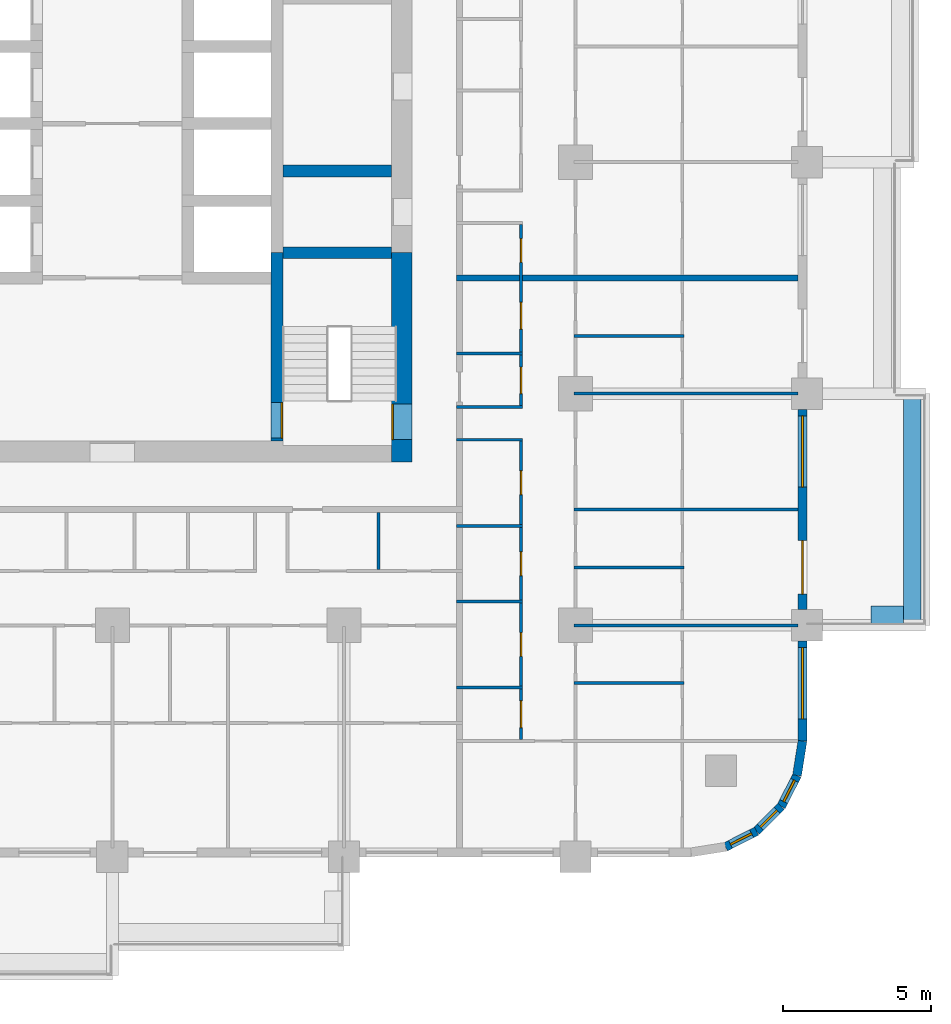
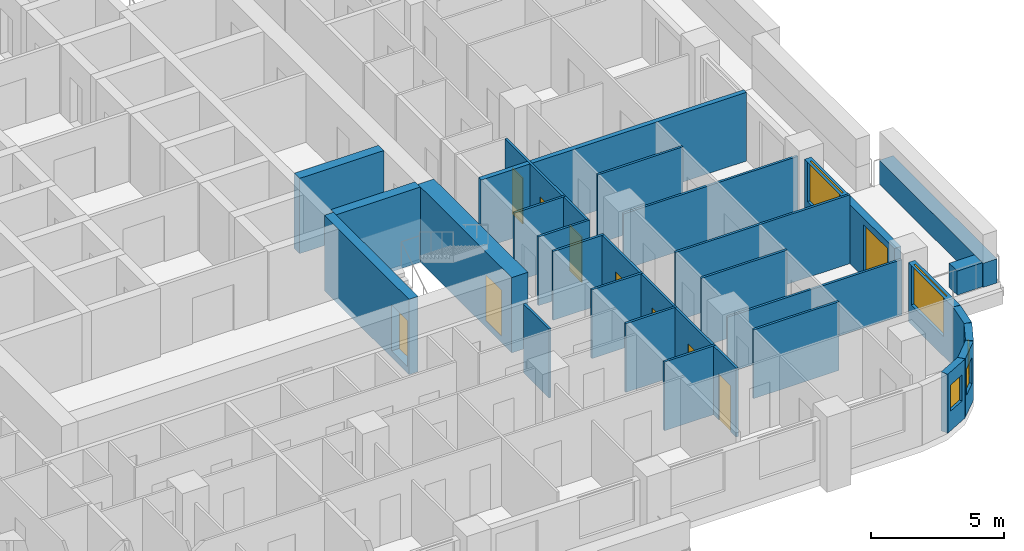
# One storey, part 7 of 17: 28 walls, 10 doors, 5 windows, 15 openings.
"""IFC4 building model written with IfcOpenShell, lengths in metres."""

from ifc_helpers import new_model, si_unit, direction, frame, frame_2d, origin, place, context, subcontext, project, spatial, rectangle, extrude, material, layer, layer_set, type_object, element, fill, save


model = new_model("IFC4")

# Units and contexts
model_context = context("Model", 3, precision=1e-05, world=origin(), true_north=direction((0.0, 1.0)))
body_context = subcontext(model_context, "Body", "Model", "MODEL_VIEW")
ifc_project = project(units=[si_unit("LENGTHUNIT", "METRE"), si_unit("AREAUNIT", "SQUARE_METRE"), si_unit("VOLUMEUNIT", "CUBIC_METRE"), si_unit("PLANEANGLEUNIT", "RADIAN"), si_unit("MASSUNIT", "GRAM", prefix="KILO")], contexts=[model_context])

# Site, building, storey
site_placement = place(None, origin())
site = spatial("IfcSite", under=ifc_project, at=site_placement, CompositionType="ELEMENT")
building_placement = place(site_placement, origin())
building = spatial("IfcBuilding", under=site, at=building_placement, Name="Ludao Terraces", CompositionType="ELEMENT")
storey_placement = place(building_placement, frame((0.0, 0.0, 51.199951171875)))
storey = spatial("IfcBuildingStorey", under=building, at=storey_placement, Name="L13", CompositionType="ELEMENT", Elevation=51.199951171875)

# Wall, opening, door
ifc_material_1 = material(Name="Concrete C70", Category="concrete")
ifc_layer_1 = layer(ifc_material_1, 0.699951171875)
ifc_layer_set_1 = layer_set([ifc_layer_1], Name="Core wall 700 C70")
wall_type_1 = type_object("IfcWallType", Name="Core wall 700 C70", PredefinedType="SOLIDWALL", material=ifc_layer_set_1)
wall_1_placement = place(storey_placement, frame((94.75, 54.89990234375, -0.300048828125), z_axis=(0.0, 0.0, 1.0), x_axis=(0.0, 1.0, 0.0)))
wall_1 = element("IfcWall", 1, at=wall_1_placement, inside=storey, type_object=wall_type_1, Name="Core wall L13 outer-E-S3", PredefinedType="SOLIDWALL", context=body_context, shape_type="SweptSolid", body=[
    extrude(rectangle(XDim=7.050048828125, YDim=0.699951171875, at=frame_2d((3.52490234375, 0.0))), origin(), (0.0, 0.0, 1.0), 3.4501953125),
])
opening_1_placement = place(wall_1_placement, frame((0.75, 0.0, 0.300048828125)))
opening_1 = element("IfcOpeningElement", 2, at=opening_1_placement, cuts=wall_1, Name="Opening R04-059", PredefinedType="OPENING", context=body_context, shape_type="SweptSolid", body=[
    extrude(rectangle(XDim=1.199951171875, YDim=2.10009765625, at=frame_2d((0.60009765625, 1.050048828125))), frame((0.0, 0.35986328125, 0.0), z_axis=(0.0, -1.0, 0.0), x_axis=(1.0, 0.0, 0.0)), (0.0, 0.0, 1.0), 0.719970703125),
])
ifc_material_2 = material(Name="Steel Q235", Category="steel")
door_type_1 = type_object("IfcDoorType", Name="INT Stair door 1200", OperationType="DOUBLE_DOOR_SINGLE_SWING", PredefinedType="DOOR", material=ifc_material_2)
door_1_placement = place(opening_1_placement, origin())
door_1 = element("IfcDoor", 3, at=door_1_placement, inside=storey, type_object=door_type_1, Name="DOOR 059", OperationType="DOUBLE_DOOR_SINGLE_SWING", OverallHeight=2.10009765625, OverallWidth=1.199951171875, PredefinedType="DOOR", context=body_context, shape_type="SweptSolid", body=[
    extrude(rectangle(XDim=1.199951171875, YDim=2.10009765625, at=frame_2d((0.60009765625, 1.050048828125))), frame((0.0, 0.3349609375, 0.0), z_axis=(0.0, -1.0, 0.0), x_axis=(1.0, 0.0, 0.0)), (0.0, 0.0, 1.0), 0.050048828125),
])
fill(opening_1, door_1)

# Walls
ifc_material_3 = material(Name="Concrete C40", Category="concrete")
ifc_layer_2 = layer(ifc_material_3, 0.60009765625)
ifc_layer_set_2 = layer_set([ifc_layer_2], Name="ENV Planter trough 600")
wall_type_2 = type_object("IfcWallType", Name="ENV Planter trough 600", PredefinedType="USERDEFINED", material=ifc_layer_set_2)
wall_2_placement = place(storey_placement, frame((111.949951171875, 49.39990234375, 0.0), z_axis=(0.0, 0.0, 1.0), x_axis=(0.0, 1.0, 0.0)))
element("IfcWall", 4, at=wall_2_placement, inside=storey, type_object=wall_type_2, Name="PL-L13-E1", ObjectType="PLANTER", PredefinedType="USERDEFINED", context=body_context, shape_type="SweptSolid", body=[
    extrude(rectangle(XDim=7.800048828125, YDim=0.60009765625, at=frame_2d((3.89990234375, 0.0))), origin(), (0.0, 0.0, 1.0), 1.10009765625),
])
wall_3_placement = place(storey_placement, frame((111.64990234375, 49.75, 0.0), z_axis=(0.0, 0.0, 1.0), x_axis=(-1.0, 0.0, 0.0)))
element("IfcWall", 5, at=wall_3_placement, inside=storey, type_object=wall_type_2, Name="PL-L13-E1-SA", ObjectType="PLANTER", PredefinedType="USERDEFINED", context=body_context, shape_type="SweptSolid", body=[
    extrude(rectangle(XDim=1.099853515625, YDim=0.60009765625, at=frame_2d((0.5498046875, 0.0))), origin(), (0.0, 0.0, 1.0), 1.10009765625),
])

# Wall, opening, window
ifc_material_4 = material(Name="Granite cladding", Category="masonry")
ifc_layer_3 = layer(ifc_material_4, 0.0400390625, Category="stone")
ifc_material_5 = material(Name="Mineral wool")
ifc_layer_4 = layer(ifc_material_5, 0.06005859375)
ifc_layer_5 = layer(ifc_material_3, 0.199951171875, Category="concrete")
ifc_layer_set_3 = layer_set([ifc_layer_3, ifc_layer_4, ifc_layer_5], Name="ENV Stone-clad wall 300")
wall_type_3 = type_object("IfcWallType", Name="ENV Stone-clad wall 300", PredefinedType="SOLIDWALL", material=ifc_layer_set_3)
wall_4_placement = place(storey_placement, frame((108.25, 45.5, 0.0), z_axis=(0.0, 0.0, 1.0), x_axis=(0.0, 1.0, 0.0)))
wall_4 = element("IfcWall", 6, at=wall_4_placement, inside=storey, type_object=wall_type_3, Name="EW-L13-E1", PredefinedType="SOLIDWALL", context=body_context, shape_type="SweptSolid", body=[
    extrude(rectangle(XDim=3.375, YDim=0.300048828125, at=frame_2d((1.6875, 0.0))), origin(), (0.0, 0.0, 1.0), 2.699951171875),
])
opening_2_placement = place(wall_4_placement, frame((0.75, 0.0, 0.89990234375)))
opening_2 = element("IfcOpeningElement", 7, at=opening_2_placement, cuts=wall_4, Name="Opening W1", PredefinedType="OPENING", context=body_context, shape_type="SweptSolid", body=[
    extrude(rectangle(XDim=2.39990234375, YDim=1.800048828125, at=frame_2d((1.199951171875, 0.89990234375))), frame((0.0, 0.16015625, 0.0), z_axis=(0.0, -1.0, 0.0), x_axis=(1.0, 0.0, 0.0)), (0.0, 0.0, 1.0), 0.320068359375),
])
ifc_material_6 = material(Name="Clear glass in aluminium frame", Category="aluminium")
ifc_layer_6 = layer(ifc_material_6, 0.06005859375)
ifc_layer_set_4 = layer_set([ifc_layer_6], Name="ENV Window W1 2400x1800")
window_type_1 = type_object("IfcWindowType", Name="ENV Window W1 2400x1800", PartitioningType="DOUBLE_PANEL_VERTICAL", PredefinedType="WINDOW", material=ifc_layer_set_4)
window_1_placement = place(opening_2_placement, origin())
window_1 = element("IfcWindow", 8, at=window_1_placement, inside=storey, type_object=window_type_1, Name="W-L13-E1-1", OverallHeight=1.800048828125, OverallWidth=2.39990234375, PartitioningType="DOUBLE_PANEL_VERTICAL", PredefinedType="WINDOW", context=body_context, shape_type="SweptSolid", body=[
    extrude(rectangle(XDim=2.39990234375, YDim=1.800048828125, at=frame_2d((1.199951171875, 0.89990234375))), frame((0.0, 0.030029296875, 0.0), z_axis=(0.0, -1.0, 0.0), x_axis=(1.0, 0.0, 0.0)), (0.0, 0.0, 1.0), 0.06005859375),
])
fill(opening_2, window_1)

# Wall, openings, door, window
wall_5_placement = place(storey_placement, frame((108.25, 49.925048828125, 0.0), z_axis=(0.0, 0.0, 1.0), x_axis=(0.0, 1.0, 0.0)))
wall_5 = element("IfcWall", 9, at=wall_5_placement, inside=storey, type_object=wall_type_3, Name="EW-L13-E2", PredefinedType="SOLIDWALL", context=body_context, shape_type="SweptSolid", body=[
    extrude(rectangle(XDim=6.75, YDim=0.300048828125, at=frame_2d((3.375, 0.0))), origin(), (0.0, 0.0, 1.0), 2.699951171875),
])
opening_3_placement = place(wall_5_placement, frame((0.52490234375, 0.0, 0.0)))
opening_3 = element("IfcOpeningElement", 10, at=opening_3_placement, cuts=wall_5, Name="Opening BD", PredefinedType="OPENING", context=body_context, shape_type="SweptSolid", body=[
    extrude(rectangle(XDim=1.800048828125, YDim=2.39990234375, at=frame_2d((0.89990234375, 1.199951171875))), frame((0.0, 0.16015625, 0.0), z_axis=(0.0, -1.0, 0.0), x_axis=(1.0, 0.0, 0.0)), (0.0, 0.0, 1.0), 0.320068359375),
])
opening_4_placement = place(wall_5_placement, frame((4.125, 0.0, 0.89990234375)))
opening_4 = element("IfcOpeningElement", 11, at=opening_4_placement, cuts=wall_5, Name="Opening W1", PredefinedType="OPENING", context=body_context, shape_type="SweptSolid", body=[
    extrude(rectangle(XDim=2.39990234375, YDim=1.800048828125, at=frame_2d((1.199951171875, 0.89990234375))), frame((0.0, 0.16015625, 0.0), z_axis=(0.0, -1.0, 0.0), x_axis=(1.0, 0.0, 0.0)), (0.0, 0.0, 1.0), 0.320068359375),
])
ifc_material_7 = material(Name="Aluminium glazed door", Category="aluminium")
ifc_layer_7 = layer(ifc_material_7, 0.06005859375)
ifc_layer_set_5 = layer_set([ifc_layer_7], Name="ENV Balcony door BD 1800x2400")
door_type_2 = type_object("IfcDoorType", Name="ENV Balcony door BD 1800x2400", OperationType="DOUBLE_DOOR_SINGLE_SWING", PredefinedType="DOOR", material=ifc_layer_set_5)
door_2_placement = place(opening_3_placement, origin())
door_2 = element("IfcDoor", 12, at=door_2_placement, inside=storey, type_object=door_type_2, Name="BD-L13-E2-1", OperationType="DOUBLE_DOOR_SINGLE_SWING", OverallHeight=2.39990234375, OverallWidth=1.800048828125, PredefinedType="DOOR", context=body_context, shape_type="SweptSolid", body=[
    extrude(rectangle(XDim=1.800048828125, YDim=2.39990234375, at=frame_2d((0.89990234375, 1.199951171875))), frame((0.0, 0.02490234375, 0.0), z_axis=(0.0, -1.0, 0.0), x_axis=(1.0, 0.0, 0.0)), (0.0, 0.0, 1.0), 0.050048828125),
])
fill(opening_3, door_2)
window_2_placement = place(opening_4_placement, origin())
window_2 = element("IfcWindow", 13, at=window_2_placement, inside=storey, type_object=window_type_1, Name="W-L13-E2-2", OverallHeight=1.800048828125, OverallWidth=2.39990234375, PartitioningType="DOUBLE_PANEL_VERTICAL", PredefinedType="WINDOW", context=body_context, shape_type="SweptSolid", body=[
    extrude(rectangle(XDim=2.39990234375, YDim=1.800048828125, at=frame_2d((1.199951171875, 0.89990234375))), frame((0.0, 0.030029296875, 0.0), z_axis=(0.0, -1.0, 0.0), x_axis=(1.0, 0.0, 0.0)), (0.0, 0.0, 1.0), 0.06005859375),
])
fill(opening_4, window_2)

# Wall, opening, window
wall_6_placement = place(storey_placement, frame((105.65869140625, 41.93359375, 0.0), z_axis=(0.0, 0.0, 1.0), x_axis=(0.890988677504, 0.454025524128, 0.0)))
wall_6 = element("IfcWall", 14, at=wall_6_placement, inside=storey, type_object=wall_type_3, Name="EW-L13-SE2", PredefinedType="SOLIDWALL", context=body_context, shape_type="SweptSolid", body=[
    extrude(rectangle(XDim=1.17333984375, YDim=0.300048828125, at=frame_2d((0.586669921875, 0.0))), origin(), (0.0, 0.0, 1.0), 2.699951171875),
])
opening_5_placement = place(wall_6_placement, frame((0.1865234375, 0.0, 0.89990234375)))
opening_5 = element("IfcOpeningElement", 15, at=opening_5_placement, cuts=wall_6, Name="Opening W3", PredefinedType="OPENING", context=body_context, shape_type="SweptSolid", body=[
    extrude(rectangle(XDim=0.800048828125, YDim=1.199951171875, at=frame_2d((0.39990234375, 0.60009765625))), frame((0.0, 0.16015625, 0.0), z_axis=(0.0, -1.0, 0.0), x_axis=(1.0, 0.0, 0.0)), (0.0, 0.0, 1.0), 0.320068359375),
])
ifc_layer_8 = layer(ifc_material_6, 0.06005859375)
ifc_layer_set_6 = layer_set([ifc_layer_8], Name="ENV Window W3 800x1200")
window_type_2 = type_object("IfcWindowType", Name="ENV Window W3 800x1200", PartitioningType="SINGLE_PANEL", PredefinedType="WINDOW", material=ifc_layer_set_6)
window_3_placement = place(opening_5_placement, origin())
window_3 = element("IfcWindow", 16, at=window_3_placement, inside=storey, type_object=window_type_2, Name="W-L13-SE2", OverallHeight=1.199951171875, OverallWidth=0.800048828125, PartitioningType="SINGLE_PANEL", PredefinedType="WINDOW", context=body_context, shape_type="SweptSolid", body=[
    extrude(rectangle(XDim=0.800048828125, YDim=1.199951171875, at=frame_2d((0.39990234375, 0.60009765625))), frame((0.0, 0.030029296875, 0.0), z_axis=(0.0, -1.0, 0.0), x_axis=(1.0, 0.0, 0.0)), (0.0, 0.0, 1.0), 0.06005859375),
])
fill(opening_5, window_3)

wall_7_placement = place(storey_placement, frame((106.7041015625, 42.46630859375, 0.0), z_axis=(0.0, 0.0, 1.0), x_axis=(0.707106781187, 0.707106781187, 0.0)))
wall_7 = element("IfcWall", 17, at=wall_7_placement, inside=storey, type_object=wall_type_3, Name="EW-L13-SE3", PredefinedType="SOLIDWALL", context=body_context, shape_type="SweptSolid", body=[
    extrude(rectangle(XDim=1.173095703125, YDim=0.300048828125, at=frame_2d((0.58642578125, 0.0))), origin(), (0.0, 0.0, 1.0), 2.699951171875),
])
opening_6_placement = place(wall_7_placement, frame((0.1865234375, 0.0, 0.89990234375)))
opening_6 = element("IfcOpeningElement", 18, at=opening_6_placement, cuts=wall_7, Name="Opening W3", PredefinedType="OPENING", context=body_context, shape_type="SweptSolid", body=[
    extrude(rectangle(XDim=0.800048828125, YDim=1.199951171875, at=frame_2d((0.39990234375, 0.60009765625))), frame((0.0, 0.16015625, 0.0), z_axis=(0.0, -1.0, 0.0), x_axis=(1.0, 0.0, 0.0)), (0.0, 0.0, 1.0), 0.320068359375),
])
window_4_placement = place(opening_6_placement, origin())
window_4 = element("IfcWindow", 19, at=window_4_placement, inside=storey, type_object=window_type_2, Name="W-L13-SE3", OverallHeight=1.199951171875, OverallWidth=0.800048828125, PartitioningType="SINGLE_PANEL", PredefinedType="WINDOW", context=body_context, shape_type="SweptSolid", body=[
    extrude(rectangle(XDim=0.800048828125, YDim=1.199951171875, at=frame_2d((0.39990234375, 0.60009765625))), frame((0.0, 0.030029296875, 0.0), z_axis=(0.0, -1.0, 0.0), x_axis=(1.0, 0.0, 0.0)), (0.0, 0.0, 1.0), 0.06005859375),
])
fill(opening_6, window_4)

wall_8_placement = place(storey_placement, frame((107.53369140625, 43.2958984375, 0.0), z_axis=(0.0, 0.0, 1.0), x_axis=(0.454025524128, 0.890988677504, 0.0)))
wall_8 = element("IfcWall", 20, at=wall_8_placement, inside=storey, type_object=wall_type_3, Name="EW-L13-SE4", PredefinedType="SOLIDWALL", context=body_context, shape_type="SweptSolid", body=[
    extrude(rectangle(XDim=1.17333984375, YDim=0.300048828125, at=frame_2d((0.586669921875, 0.0))), origin(), (0.0, 0.0, 1.0), 2.699951171875),
])
opening_7_placement = place(wall_8_placement, frame((0.1865234375, 0.0, 0.89990234375)))
opening_7 = element("IfcOpeningElement", 21, at=opening_7_placement, cuts=wall_8, Name="Opening W3", PredefinedType="OPENING", context=body_context, shape_type="SweptSolid", body=[
    extrude(rectangle(XDim=0.800048828125, YDim=1.199951171875, at=frame_2d((0.39990234375, 0.60009765625))), frame((0.0, 0.16015625, 0.0), z_axis=(0.0, -1.0, 0.0), x_axis=(1.0, 0.0, 0.0)), (0.0, 0.0, 1.0), 0.320068359375),
])
window_5_placement = place(opening_7_placement, origin())
window_5 = element("IfcWindow", 22, at=window_5_placement, inside=storey, type_object=window_type_2, Name="W-L13-SE4", OverallHeight=1.199951171875, OverallWidth=0.800048828125, PartitioningType="SINGLE_PANEL", PredefinedType="WINDOW", context=body_context, shape_type="SweptSolid", body=[
    extrude(rectangle(XDim=0.800048828125, YDim=1.199951171875, at=frame_2d((0.39990234375, 0.60009765625))), frame((0.0, 0.030029296875, 0.0), z_axis=(0.0, -1.0, 0.0), x_axis=(1.0, 0.0, 0.0)), (0.0, 0.0, 1.0), 0.06005859375),
])
fill(opening_7, window_5)

# Walls
wall_9_placement = place(storey_placement, frame((108.06640625, 44.34130859375, 0.0), z_axis=(0.0, 0.0, 1.0), x_axis=(0.156496880861, 0.987678452879, 0.0)))
element("IfcWall", 23, at=wall_9_placement, inside=storey, type_object=wall_type_3, Name="EW-L13-SE5", PredefinedType="SOLIDWALL", context=body_context, shape_type="SweptSolid", body=[
    extrude(rectangle(XDim=1.173095703125, YDim=0.300048828125, at=frame_2d((0.58642578125, 0.0))), origin(), (0.0, 0.0, 1.0), 2.699951171875),
])
ifc_material_8 = material(Name="Gypsum plasterboard", Category="gypsum")
ifc_layer_9 = layer(ifc_material_8, 0.012451171875, Category="gypsum")
ifc_layer_10 = layer(ifc_material_5, 0.06005859375, Name="insulation")
ifc_layer_11 = layer(ifc_material_2, 0.014892578125, Name="stud")
ifc_layer_12 = layer(ifc_material_8, 0.012451171875, Category="gypsum")
ifc_layer_set_7 = layer_set([ifc_layer_9, ifc_layer_10, ifc_layer_11, ifc_layer_12], Name="INT Partition 100")
wall_type_4 = type_object("IfcWallType", Name="INT Partition 100", PredefinedType="PARTITIONING", material=ifc_layer_set_7)
wall_10_placement = place(storey_placement, frame((96.60009765625, 47.300048828125, 0.0), z_axis=(0.0, 0.0, 1.0), x_axis=(1.0, 0.0, 0.0)))
element("IfcWall", 24, at=wall_10_placement, inside=storey, type_object=wall_type_4, Name="PW-L13-PW005", PredefinedType="PARTITIONING", context=body_context, shape_type="SweptSolid", body=[
    extrude(rectangle(XDim=2.219970703125, YDim=0.10009765625, at=frame_2d((1.10986328125, 0.0))), origin(), (0.0, 0.0, 1.0), 3.150146484375),
])
wall_11_placement = place(storey_placement, frame((100.550048828125, 47.449951171875, 0.0), z_axis=(0.0, 0.0, 1.0), x_axis=(1.0, 0.0, 0.0)))
element("IfcWall", 25, at=wall_11_placement, inside=storey, type_object=wall_type_4, Name="PW-L13-PW007", PredefinedType="PARTITIONING", context=body_context, shape_type="SweptSolid", body=[
    extrude(rectangle(XDim=3.699951171875, YDim=0.10009765625, at=frame_2d((1.85009765625, 0.0))), origin(), (0.0, 0.0, 1.0), 3.150146484375),
])
wall_12_placement = place(storey_placement, frame((100.550048828125, 49.39990234375, 0.0), z_axis=(0.0, 0.0, 1.0), x_axis=(1.0, 0.0, 0.0)))
element("IfcWall", 26, at=wall_12_placement, inside=storey, type_object=wall_type_4, Name="PW-L13-PW010", PredefinedType="PARTITIONING", context=body_context, shape_type="SweptSolid", body=[
    extrude(rectangle(XDim=7.550048828125, YDim=0.10009765625, at=frame_2d((3.77490234375, 0.0))), origin(), (0.0, 0.0, 1.0), 2.550048828125),
])
wall_13_placement = place(storey_placement, frame((96.60009765625, 50.199951171875, 0.0), z_axis=(0.0, 0.0, 1.0), x_axis=(1.0, 0.0, 0.0)))
element("IfcWall", 27, at=wall_13_placement, inside=storey, type_object=wall_type_4, Name="PW-L13-PW012", PredefinedType="PARTITIONING", context=body_context, shape_type="SweptSolid", body=[
    extrude(rectangle(XDim=2.219970703125, YDim=0.10009765625, at=frame_2d((1.10986328125, 0.0))), origin(), (0.0, 0.0, 1.0), 3.150146484375),
])
wall_14_placement = place(storey_placement, frame((100.550048828125, 51.35009765625, 0.0), z_axis=(0.0, 0.0, 1.0), x_axis=(1.0, 0.0, 0.0)))
element("IfcWall", 28, at=wall_14_placement, inside=storey, type_object=wall_type_4, Name="PW-L13-PW017", PredefinedType="PARTITIONING", context=body_context, shape_type="SweptSolid", body=[
    extrude(rectangle(XDim=3.699951171875, YDim=0.10009765625, at=frame_2d((1.85009765625, 0.0))), origin(), (0.0, 0.0, 1.0), 3.150146484375),
])
wall_15_placement = place(storey_placement, frame((96.60009765625, 52.75, 0.0), z_axis=(0.0, 0.0, 1.0), x_axis=(1.0, 0.0, 0.0)))
element("IfcWall", 29, at=wall_15_placement, inside=storey, type_object=wall_type_4, Name="PW-L13-PW018", PredefinedType="PARTITIONING", context=body_context, shape_type="SweptSolid", body=[
    extrude(rectangle(XDim=2.219970703125, YDim=0.10009765625, at=frame_2d((1.10986328125, 0.0))), origin(), (0.0, 0.0, 1.0), 3.150146484375),
])
wall_16_placement = place(storey_placement, frame((100.550048828125, 53.300048828125, 0.0), z_axis=(0.0, 0.0, 1.0), x_axis=(1.0, 0.0, 0.0)))
element("IfcWall", 30, at=wall_16_placement, inside=storey, type_object=wall_type_4, Name="PW-L13-PW022", PredefinedType="PARTITIONING", context=body_context, shape_type="SweptSolid", body=[
    extrude(rectangle(XDim=7.550048828125, YDim=0.10009765625, at=frame_2d((3.77490234375, 0.0))), origin(), (0.0, 0.0, 1.0), 3.150146484375),
])
for number, where, z_axis, x_axis, name in (
    (31, (96.60009765625, 55.64990234375, 0.0), (0.0, 0.0, 1.0), (1.0, 0.0, 0.0), "PW-L13-PW024"),
    (32, (96.60009765625, 56.75, 0.0), (0.0, 0.0, 1.0), (1.0, 0.0, 0.0), "PW-L13-PW026"),
):
    element("IfcWall", number, at=place(storey_placement, frame(where, z_axis=z_axis, x_axis=x_axis)), inside=storey, type_object=wall_type_4, Name=name, PredefinedType="PARTITIONING", context=body_context, shape_type="SweptSolid", body=[
        extrude(rectangle(XDim=2.219970703125, YDim=0.10009765625, at=frame_2d((1.10986328125, 0.0))), origin(), (0.0, 0.0, 1.0), 3.150146484375),
    ])
wall_17_placement = place(storey_placement, frame((100.550048828125, 57.199951171875, 0.0), z_axis=(0.0, 0.0, 1.0), x_axis=(1.0, 0.0, 0.0)))
element("IfcWall", 33, at=wall_17_placement, inside=storey, type_object=wall_type_4, Name="PW-L13-PW028", PredefinedType="PARTITIONING", context=body_context, shape_type="SweptSolid", body=[
    extrude(rectangle(XDim=7.550048828125, YDim=0.10009765625, at=frame_2d((3.77490234375, 0.0))), origin(), (0.0, 0.0, 1.0), 2.550048828125),
])
wall_18_placement = place(storey_placement, frame((96.60009765625, 58.550048828125, 0.0), z_axis=(0.0, 0.0, 1.0), x_axis=(1.0, 0.0, 0.0)))
element("IfcWall", 34, at=wall_18_placement, inside=storey, type_object=wall_type_4, Name="PW-L13-PW029", PredefinedType="PARTITIONING", context=body_context, shape_type="SweptSolid", body=[
    extrude(rectangle(XDim=2.219970703125, YDim=0.10009765625, at=frame_2d((1.10986328125, 0.0))), origin(), (0.0, 0.0, 1.0), 3.150146484375),
])
wall_19_placement = place(storey_placement, frame((100.550048828125, 59.14990234375, 0.0), z_axis=(0.0, 0.0, 1.0), x_axis=(1.0, 0.0, 0.0)))
element("IfcWall", 35, at=wall_19_placement, inside=storey, type_object=wall_type_4, Name="PW-L13-PW031", PredefinedType="PARTITIONING", context=body_context, shape_type="SweptSolid", body=[
    extrude(rectangle(XDim=3.699951171875, YDim=0.10009765625, at=frame_2d((1.85009765625, 0.0))), origin(), (0.0, 0.0, 1.0), 3.150146484375),
])
wall_20_placement = place(storey_placement, frame((93.969970703125, 51.280029296875, 0.0), z_axis=(0.0, 0.0, 1.0), x_axis=(0.0, 1.0, 0.0)))
element("IfcWall", 36, at=wall_20_placement, inside=storey, type_object=wall_type_4, Name="PW-L13-PW112", PredefinedType="PARTITIONING", context=body_context, shape_type="SweptSolid", body=[
    extrude(rectangle(XDim=1.920166015625, YDim=0.10009765625, at=frame_2d((0.9599609375, 0.0))), origin(), (0.0, 0.0, 1.0), 3.150146484375),
])

# Wall, openings, doors
wall_21_placement = place(storey_placement, frame((98.77001953125, 45.550048828125, 0.0), z_axis=(0.0, 0.0, 1.0), x_axis=(0.0, 1.0, 0.0)))
wall_21 = element("IfcWall", 37, at=wall_21_placement, inside=storey, type_object=wall_type_4, Name="PW-L13-PW116", PredefinedType="PARTITIONING", context=body_context, shape_type="SweptSolid", body=[
    extrude(rectangle(XDim=10.050048828125, YDim=0.10009765625, at=frame_2d((5.02490234375, 0.0))), origin(), (0.0, 0.0, 1.0), 3.150146484375),
])
opening_8_placement = place(wall_21_placement, frame((0.39990234375, 0.0, 0.0)))
opening_8 = element("IfcOpeningElement", 38, at=opening_8_placement, cuts=wall_21, Name="Opening R04-017", PredefinedType="OPENING", context=body_context, shape_type="SweptSolid", body=[
    extrude(rectangle(XDim=0.89990234375, YDim=2.10009765625, at=frame_2d((0.449951171875, 1.050048828125))), frame((0.0, 0.06005859375, 0.0), z_axis=(0.0, -1.0, 0.0), x_axis=(1.0, 0.0, 0.0)), (0.0, 0.0, 1.0), 0.1201171875),
])
opening_9_placement = place(wall_21_placement, frame((2.800048828125, 0.0, 0.0)))
opening_9 = element("IfcOpeningElement", 39, at=opening_9_placement, cuts=wall_21, Name="Opening R04-025", PredefinedType="OPENING", context=body_context, shape_type="SweptSolid", body=[
    extrude(rectangle(XDim=0.800048828125, YDim=2.10009765625, at=frame_2d((0.39990234375, 1.050048828125))), frame((0.0, 0.06005859375, 0.0), z_axis=(0.0, -1.0, 0.0), x_axis=(1.0, 0.0, 0.0)), (0.0, 0.0, 1.0), 0.1201171875),
])
opening_10_placement = place(wall_21_placement, frame((5.52490234375, 0.0, 0.0)))
opening_10 = element("IfcOpeningElement", 40, at=opening_10_placement, cuts=wall_21, Name="Opening R04-043", PredefinedType="OPENING", context=body_context, shape_type="SweptSolid", body=[
    extrude(rectangle(XDim=0.800048828125, YDim=2.10009765625, at=frame_2d((0.39990234375, 1.050048828125))), frame((0.0, 0.06005859375, 0.0), z_axis=(0.0, -1.0, 0.0), x_axis=(1.0, 0.0, 0.0)), (0.0, 0.0, 1.0), 0.1201171875),
])
opening_11_placement = place(wall_21_placement, frame((8.25, 0.0, 0.0)))
opening_11 = element("IfcOpeningElement", 41, at=opening_11_placement, cuts=wall_21, Name="Opening R04-051", PredefinedType="OPENING", context=body_context, shape_type="SweptSolid", body=[
    extrude(rectangle(XDim=0.800048828125, YDim=2.10009765625, at=frame_2d((0.39990234375, 1.050048828125))), frame((0.0, 0.06005859375, 0.0), z_axis=(0.0, -1.0, 0.0), x_axis=(1.0, 0.0, 0.0)), (0.0, 0.0, 1.0), 0.1201171875),
])
ifc_material_9 = material(Name="Timber door leaf", Category="wood")
door_type_3 = type_object("IfcDoorType", Name="INT Bathroom door 900", OperationType="SINGLE_SWING_LEFT", PredefinedType="DOOR", material=ifc_material_9)
door_3_placement = place(opening_8_placement, origin())
door_3 = element("IfcDoor", 42, at=door_3_placement, inside=storey, type_object=door_type_3, Name="DOOR 017", OperationType="SINGLE_SWING_RIGHT", OverallHeight=2.10009765625, OverallWidth=0.89990234375, PredefinedType="DOOR", context=body_context, shape_type="SweptSolid", body=[
    extrude(rectangle(XDim=0.89990234375, YDim=2.10009765625, at=frame_2d((0.449951171875, 1.050048828125))), frame((0.0, 0.02490234375, 0.0), z_axis=(0.0, -1.0, 0.0), x_axis=(1.0, 0.0, 0.0)), (0.0, 0.0, 1.0), 0.050048828125),
])
fill(opening_8, door_3)
door_type_4 = type_object("IfcDoorType", Name="INT Store door 800", OperationType="SINGLE_SWING_LEFT", PredefinedType="DOOR", material=ifc_material_9)
door_4_placement = place(opening_9_placement, origin())
door_4 = element("IfcDoor", 43, at=door_4_placement, inside=storey, type_object=door_type_4, Name="DOOR 025", OperationType="SINGLE_SWING_LEFT", OverallHeight=2.10009765625, OverallWidth=0.800048828125, PredefinedType="DOOR", context=body_context, shape_type="SweptSolid", body=[
    extrude(rectangle(XDim=0.800048828125, YDim=2.10009765625, at=frame_2d((0.39990234375, 1.050048828125))), frame((0.0, 0.02490234375, 0.0), z_axis=(0.0, -1.0, 0.0), x_axis=(1.0, 0.0, 0.0)), (0.0, 0.0, 1.0), 0.050048828125),
])
fill(opening_9, door_4)
door_5_placement = place(opening_10_placement, origin())
door_5 = element("IfcDoor", 44, at=door_5_placement, inside=storey, type_object=door_type_4, Name="DOOR 043", OperationType="SINGLE_SWING_RIGHT", OverallHeight=2.10009765625, OverallWidth=0.800048828125, PredefinedType="DOOR", context=body_context, shape_type="SweptSolid", body=[
    extrude(rectangle(XDim=0.800048828125, YDim=2.10009765625, at=frame_2d((0.39990234375, 1.050048828125))), frame((0.0, 0.02490234375, 0.0), z_axis=(0.0, -1.0, 0.0), x_axis=(1.0, 0.0, 0.0)), (0.0, 0.0, 1.0), 0.050048828125),
])
fill(opening_10, door_5)
door_6_placement = place(opening_11_placement, origin())
door_6 = element("IfcDoor", 45, at=door_6_placement, inside=storey, type_object=door_type_4, Name="DOOR 051", OperationType="SINGLE_SWING_LEFT", OverallHeight=2.10009765625, OverallWidth=0.800048828125, PredefinedType="DOOR", context=body_context, shape_type="SweptSolid", body=[
    extrude(rectangle(XDim=0.800048828125, YDim=2.10009765625, at=frame_2d((0.39990234375, 1.050048828125))), frame((0.0, 0.02490234375, 0.0), z_axis=(0.0, -1.0, 0.0), x_axis=(1.0, 0.0, 0.0)), (0.0, 0.0, 1.0), 0.050048828125),
])
fill(opening_11, door_6)

wall_22_placement = place(storey_placement, frame((98.77001953125, 56.800048828125, 0.0), z_axis=(0.0, 0.0, 1.0), x_axis=(0.0, 1.0, 0.0)))
wall_22 = element("IfcWall", 46, at=wall_22_placement, inside=storey, type_object=wall_type_4, Name="PW-L13-PW117", PredefinedType="PARTITIONING", context=body_context, shape_type="SweptSolid", body=[
    extrude(rectangle(XDim=6.10009765625, YDim=0.10009765625, at=frame_2d((3.050048828125, 0.0))), origin(), (0.0, 0.0, 1.0), 3.150146484375),
])
opening_12_placement = place(wall_22_placement, frame((0.39990234375, 0.0, 0.0)))
opening_12 = element("IfcOpeningElement", 47, at=opening_12_placement, cuts=wall_22, Name="Opening R04-062", PredefinedType="OPENING", context=body_context, shape_type="SweptSolid", body=[
    extrude(rectangle(XDim=0.89990234375, YDim=2.10009765625, at=frame_2d((0.449951171875, 1.050048828125))), frame((0.0, 0.06005859375, 0.0), z_axis=(0.0, -1.0, 0.0), x_axis=(1.0, 0.0, 0.0)), (0.0, 0.0, 1.0), 0.1201171875),
])
opening_13_placement = place(wall_22_placement, frame((2.574951171875, 0.0, 0.0)))
opening_13 = element("IfcOpeningElement", 48, at=opening_13_placement, cuts=wall_22, Name="Opening R04-066", PredefinedType="OPENING", context=body_context, shape_type="SweptSolid", body=[
    extrude(rectangle(XDim=0.89990234375, YDim=2.10009765625, at=frame_2d((0.449951171875, 1.050048828125))), frame((0.0, 0.06005859375, 0.0), z_axis=(0.0, -1.0, 0.0), x_axis=(1.0, 0.0, 0.0)), (0.0, 0.0, 1.0), 0.1201171875),
])
opening_14_placement = place(wall_22_placement, frame((4.824951171875, 0.0, 0.0)))
opening_14 = element("IfcOpeningElement", 49, at=opening_14_placement, cuts=wall_22, Name="Opening R04-073", PredefinedType="OPENING", context=body_context, shape_type="SweptSolid", body=[
    extrude(rectangle(XDim=0.800048828125, YDim=2.10009765625, at=frame_2d((0.39990234375, 1.050048828125))), frame((0.0, 0.06005859375, 0.0), z_axis=(0.0, -1.0, 0.0), x_axis=(1.0, 0.0, 0.0)), (0.0, 0.0, 1.0), 0.1201171875),
])
door_7_placement = place(opening_12_placement, origin())
door_7 = element("IfcDoor", 50, at=door_7_placement, inside=storey, type_object=door_type_3, Name="DOOR 062", OperationType="SINGLE_SWING_LEFT", OverallHeight=2.10009765625, OverallWidth=0.89990234375, PredefinedType="DOOR", context=body_context, shape_type="SweptSolid", body=[
    extrude(rectangle(XDim=0.89990234375, YDim=2.10009765625, at=frame_2d((0.449951171875, 1.050048828125))), frame((0.0, 0.02490234375, 0.0), z_axis=(0.0, -1.0, 0.0), x_axis=(1.0, 0.0, 0.0)), (0.0, 0.0, 1.0), 0.050048828125),
])
fill(opening_12, door_7)
door_type_5 = type_object("IfcDoorType", Name="INT Room door 900", OperationType="SINGLE_SWING_LEFT", PredefinedType="DOOR", material=ifc_material_9)
door_8_placement = place(opening_13_placement, origin())
door_8 = element("IfcDoor", 51, at=door_8_placement, inside=storey, type_object=door_type_5, Name="DOOR 066", OperationType="SINGLE_SWING_RIGHT", OverallHeight=2.10009765625, OverallWidth=0.89990234375, PredefinedType="DOOR", context=body_context, shape_type="SweptSolid", body=[
    extrude(rectangle(XDim=0.89990234375, YDim=2.10009765625, at=frame_2d((0.449951171875, 1.050048828125))), frame((0.0, 0.02490234375, 0.0), z_axis=(0.0, -1.0, 0.0), x_axis=(1.0, 0.0, 0.0)), (0.0, 0.0, 1.0), 0.050048828125),
])
fill(opening_13, door_8)
door_9_placement = place(opening_14_placement, origin())
door_9 = element("IfcDoor", 52, at=door_9_placement, inside=storey, type_object=door_type_4, Name="DOOR 073", OperationType="SINGLE_SWING_LEFT", OverallHeight=2.10009765625, OverallWidth=0.800048828125, PredefinedType="DOOR", context=body_context, shape_type="SweptSolid", body=[
    extrude(rectangle(XDim=0.800048828125, YDim=2.10009765625, at=frame_2d((0.39990234375, 1.050048828125))), frame((0.0, 0.02490234375, 0.0), z_axis=(0.0, -1.0, 0.0), x_axis=(1.0, 0.0, 0.0)), (0.0, 0.0, 1.0), 0.050048828125),
])
fill(opening_14, door_9)

# Wall
ifc_material_10 = material(Name="Autoclaved aerated concrete block B06 A3.5", Category="concrete")
ifc_layer_13 = layer(ifc_material_10, 0.199951171875)
ifc_layer_set_8 = layer_set([ifc_layer_13], Name="INT Party wall 200")
wall_type_5 = type_object("IfcWallType", Name="INT Party wall 200", PredefinedType="PARTITIONING", material=ifc_layer_set_8)
wall_23_placement = place(storey_placement, frame((96.60009765625, 61.10009765625, 0.0), z_axis=(0.0, 0.0, 1.0), x_axis=(1.0, 0.0, 0.0)))
element("IfcWall", 53, at=wall_23_placement, inside=storey, type_object=wall_type_5, Name="PW-L13-PW035", PredefinedType="PARTITIONING", context=body_context, shape_type="SweptSolid", body=[
    extrude(rectangle(XDim=11.5, YDim=0.199951171875, at=frame_2d((5.75, 0.0))), origin(), (0.0, 0.0, 1.0), 3.150146484375),
])

# Wall, opening, door
ifc_material_11 = material(Name="Concrete C60", Category="concrete")
ifc_layer_14 = layer(ifc_material_11, 0.39990234375)
ifc_layer_set_9 = layer_set([ifc_layer_14], Name="Shaft wall 400 C60")
wall_type_6 = type_object("IfcWallType", Name="Shaft wall 400 C60", PredefinedType="SOLIDWALL", material=ifc_layer_set_9)
wall_24_placement = place(storey_placement, frame((90.550048828125, 55.60009765625, -0.300048828125), z_axis=(0.0, 0.0, 1.0), x_axis=(0.0, 1.0, 0.0)))
wall_24 = element("IfcWall", 54, at=wall_24_placement, inside=storey, type_object=wall_type_6, Name="Core wall L13 back-E-S3", PredefinedType="SOLIDWALL", context=body_context, shape_type="SweptSolid", body=[
    extrude(rectangle(XDim=6.349853515625, YDim=0.39990234375, at=frame_2d((3.1748046875, 0.0))), origin(), (0.0, 0.0, 1.0), 3.4501953125),
])
opening_15_placement = place(wall_24_placement, frame((0.10009765625, 0.0, 0.300048828125)))
opening_15 = element("IfcOpeningElement", 55, at=opening_15_placement, cuts=wall_24, Name="Opening R04-058", PredefinedType="OPENING", context=body_context, shape_type="SweptSolid", body=[
    extrude(rectangle(XDim=1.199951171875, YDim=2.10009765625, at=frame_2d((0.60009765625, 1.050048828125))), frame((0.0, 0.2099609375, 0.0), z_axis=(0.0, -1.0, 0.0), x_axis=(1.0, 0.0, 0.0)), (0.0, 0.0, 1.0), 0.419921875),
])
door_10_placement = place(opening_15_placement, origin())
door_10 = element("IfcDoor", 56, at=door_10_placement, inside=storey, type_object=door_type_1, Name="DOOR 058", OperationType="DOUBLE_DOOR_SINGLE_SWING", OverallHeight=2.10009765625, OverallWidth=1.199951171875, PredefinedType="DOOR", context=body_context, shape_type="SweptSolid", body=[
    extrude(rectangle(XDim=1.199951171875, YDim=2.10009765625, at=frame_2d((0.60009765625, 1.050048828125))), frame((0.0, -0.134765625, 0.0), z_axis=(0.0, -1.0, 0.0), x_axis=(1.0, 0.0, 0.0)), (0.0, 0.0, 1.0), 0.050048828125),
])
fill(opening_15, door_10)

# Walls
for number, where, z_axis, x_axis, name in (
    (57, (90.75, 61.949951171875, -0.300048828125), (0.0, 0.0, 1.0), (1.0, 0.0, 0.0), "Core wall L13 hall-E"),
    (58, (90.75, 64.699951171875, -0.300048828125), (0.0, 0.0, 1.0), (1.0, 0.0, 0.0), "Core wall L13 riser-a-E"),
):
    element("IfcWall", number, at=place(storey_placement, frame(where, z_axis=z_axis, x_axis=x_axis)), inside=storey, type_object=wall_type_6, Name=name, PredefinedType="SOLIDWALL", context=body_context, shape_type="SweptSolid", body=[
        extrude(rectangle(XDim=3.64990234375, YDim=0.39990234375, at=frame_2d((1.824951171875, 0.0))), origin(), (0.0, 0.0, 1.0), 3.4501953125),
    ])

save(model, "model.ifc")
